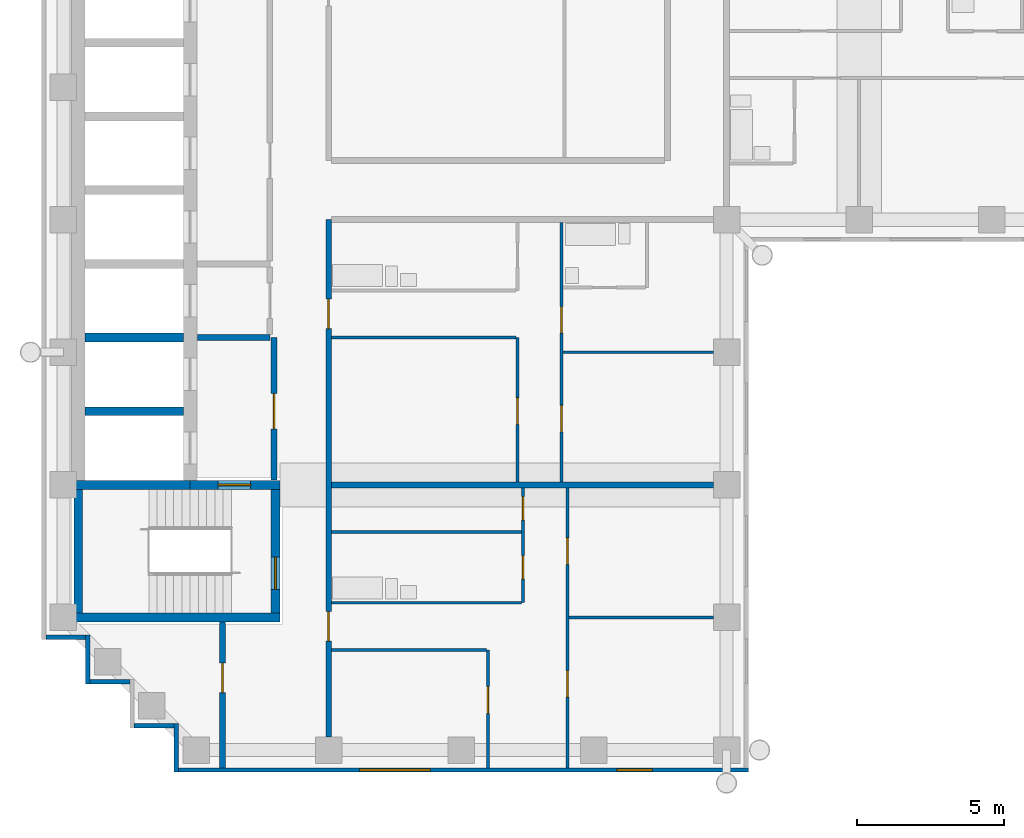
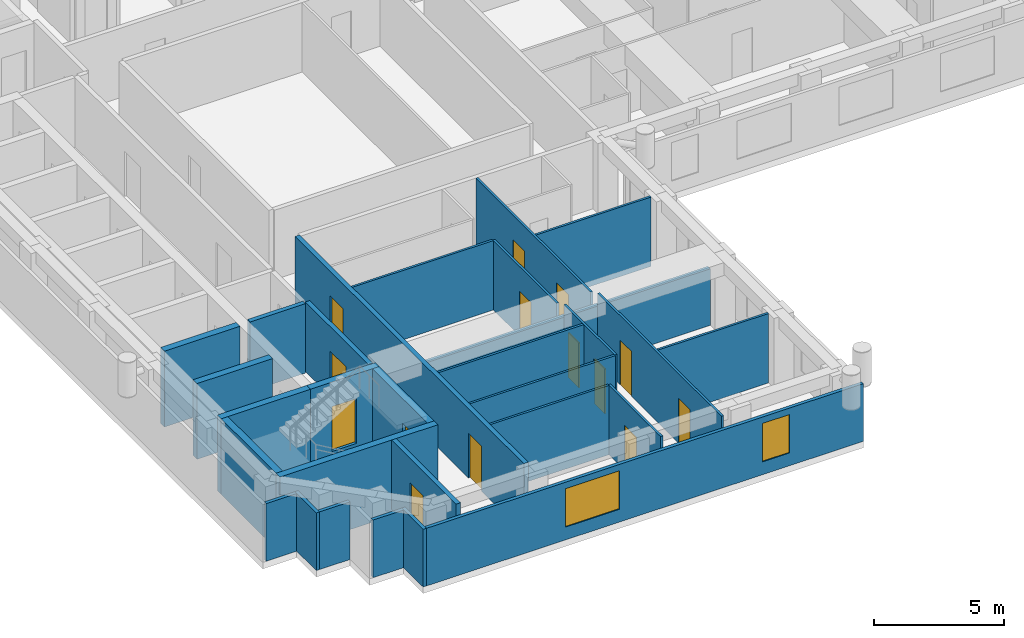
# One storey, part 2 of 9: 29 walls, 14 doors, 2 windows, 16 openings.
"""IFC4 building model written with IfcOpenShell, lengths in metres."""

from ifc_helpers import new_model, si_unit, direction, frame, frame_2d, origin, place, context, subcontext, project, spatial, rectangle, extrude, material, layer, layer_set, type_object, element, fill, save


model = new_model("IFC4")

# Units and contexts
model_context = context("Model", 3, precision=1e-05, world=origin(), true_north=direction((0.0, 1.0)))
body_context = subcontext(model_context, "Body", "Model", "MODEL_VIEW")
ifc_project = project(units=[si_unit("LENGTHUNIT", "METRE"), si_unit("AREAUNIT", "SQUARE_METRE"), si_unit("VOLUMEUNIT", "CUBIC_METRE"), si_unit("PLANEANGLEUNIT", "RADIAN"), si_unit("MASSUNIT", "GRAM", prefix="KILO")], contexts=[model_context])

# Site, building, storey
site_placement = place(None, origin())
site = spatial("IfcSite", under=ifc_project, at=site_placement, CompositionType="ELEMENT")
building_placement = place(site_placement, origin())
building = spatial("IfcBuilding", under=site, at=building_placement, Name="Firuza Court", CompositionType="ELEMENT")
storey_placement = place(building_placement, frame((0.0, 0.0, 229.39990234375)))
storey = spatial("IfcBuildingStorey", under=building, at=storey_placement, Name="L59", CompositionType="ELEMENT", Elevation=229.39990234375)

# Walls
ifc_material_1 = material(Name="Moisture-resistant gypsum board partition")
ifc_layer_1 = layer(ifc_material_1, 0.10009765625)
ifc_layer_set_1 = layer_set([ifc_layer_1], Name="Moisture-resistant gypsum board partition")
wall_type_1 = type_object("IfcWallType", Name="Bathroom partition 100", PredefinedType="PLUMBINGWALL", material=ifc_layer_set_1)
for number, where, z_axis, x_axis, name in (
    (1, (9.10009765625, 23.0, 0.0), (0.0, 0.0, 1.0), (1.0, 0.0, 0.0), "Bathroom partition 100 L59"),
    (2, (9.10009765625, 25.39990234375, 0.0), (0.0, 0.0, 1.0), (1.0, 0.0, 0.0), "Bathroom partition 100 L59"),
):
    element("IfcWall", number, at=place(storey_placement, frame(where, z_axis=z_axis, x_axis=x_axis)), inside=storey, type_object=wall_type_1, Name=name, PredefinedType="PLUMBINGWALL", context=body_context, shape_type="SweptSolid", body=[
        extrude(rectangle(XDim=6.449951171875, YDim=0.10009765625, at=frame_2d((3.22509765625, 0.0))), origin(), (0.0, 0.0, 1.0), 3.25),
    ])
ifc_material_2 = material(Name="Concrete C50/60", Category="concrete")
ifc_layer_2 = layer(ifc_material_2, 0.300048828125)
ifc_layer_set_2 = layer_set([ifc_layer_2], Name="Concrete C50/60")
wall_type_2 = type_object("IfcWallType", Name="Core wall 300 C50/60", PredefinedType="SHEAR", material=ifc_layer_set_2)
wall_1_placement = place(storey_placement, frame((0.35009765625, 22.5, -0.2998046875), z_axis=(0.0, 0.0, 1.0), x_axis=(1.0, 0.0, 0.0)))
element("IfcWall", 3, at=wall_1_placement, inside=storey, type_object=wall_type_2, Name="Core wall stair L59", PredefinedType="SHEAR", context=body_context, shape_type="SweptSolid", body=[
    extrude(rectangle(XDim=7.0, YDim=0.300048828125, at=frame_2d((3.5, 0.0))), origin(), (0.0, 0.0, 1.0), 3.5498046875),
])
wall_2_placement = place(storey_placement, frame((0.35009765625, 27.0, -0.2998046875), z_axis=(0.0, 0.0, 1.0), x_axis=(1.0, 0.0, 0.0)))
element("IfcWall", 4, at=wall_2_placement, inside=storey, type_object=wall_type_2, Name="Core wall lift shaft L59", PredefinedType="SHEAR", context=body_context, shape_type="SweptSolid", body=[
    extrude(rectangle(XDim=3.949951171875, YDim=0.300048828125, at=frame_2d((1.97509765625, 0.0))), origin(), (0.0, 0.0, 1.0), 3.5498046875),
])
wall_3_placement = place(storey_placement, frame((0.5, 22.64990234375, -0.2998046875), z_axis=(0.0, 0.0, 1.0), x_axis=(0.0, 1.0, 0.0)))
element("IfcWall", 5, at=wall_3_placement, inside=storey, type_object=wall_type_2, Name="Core wall stair L59", PredefinedType="SHEAR", context=body_context, shape_type="SweptSolid", body=[
    extrude(rectangle(XDim=4.2001953125, YDim=0.300048828125, at=frame_2d((2.10009765625, 0.0))), origin(), (0.0, 0.0, 1.0), 3.5498046875),
])
for number, where, z_axis, x_axis, name in (
    (6, (0.72509765625, 29.5, -0.2998046875), (0.0, 0.0, 1.0), (1.0, 0.0, 0.0), "Core wall lift shaft L59"),
    (7, (0.72509765625, 32.0, -0.2998046875), (0.0, 0.0, 1.0), (1.0, 0.0, 0.0), "Core wall lift shaft L59"),
):
    element("IfcWall", number, at=place(storey_placement, frame(where, z_axis=z_axis, x_axis=x_axis)), inside=storey, type_object=wall_type_2, Name=name, PredefinedType="SHEAR", context=body_context, shape_type="SweptSolid", body=[
        extrude(rectangle(XDim=3.349853515625, YDim=0.300048828125, at=frame_2d((1.6748046875, 0.0))), origin(), (0.0, 0.0, 1.0), 3.5498046875),
    ])

# Wall, opening, door
wall_4_placement = place(storey_placement, frame((4.300048828125, 27.0, -0.2998046875), z_axis=(0.0, 0.0, 1.0), x_axis=(1.0, 0.0, 0.0)))
wall_4 = element("IfcWall", 8, at=wall_4_placement, inside=storey, type_object=wall_type_2, Name="Core wall stair L59", PredefinedType="SHEAR", context=body_context, shape_type="SweptSolid", body=[
    extrude(rectangle(XDim=3.050048828125, YDim=0.300048828125, at=frame_2d((1.52490234375, 0.0))), origin(), (0.0, 0.0, 1.0), 3.5498046875),
])
opening_1_placement = place(wall_4_placement, frame((0.949951171875, 0.0, 0.300048828125)))
opening_1 = element("IfcOpeningElement", 9, at=opening_1_placement, cuts=wall_4, Name="Opening D59010", PredefinedType="OPENING", context=body_context, shape_type="SweptSolid", body=[
    extrude(rectangle(XDim=1.10009765625, YDim=2.10009765625, at=frame_2d((0.550048828125, 1.050048828125))), frame((0.0, 0.162109375, 0.0), z_axis=(0.0, -1.0, 0.0), x_axis=(1.0, 0.0, 0.0)), (0.0, 0.0, 1.0), 0.323974609375),
])
ifc_material_3 = material(Name="Timber door leaf in hardwood frame", Category="wood")
door_type_1 = type_object("IfcDoorType", Name="Stair door 1100", OperationType="SINGLE_SWING_LEFT", PredefinedType="DOOR", material=ifc_material_3)
door_1_placement = place(opening_1_placement, frame((1.10009765625, 0.0, 0.0), z_axis=(0.0, 0.0, 1.0), x_axis=(-1.0, 0.0, 0.0)))
door_1 = element("IfcDoor", 10, at=door_1_placement, inside=storey, type_object=door_type_1, Name="Fire-fighting lobby door", OperationType="SINGLE_SWING_LEFT", OverallHeight=2.10009765625, OverallWidth=1.10009765625, PredefinedType="DOOR", context=body_context, shape_type="SweptSolid", body=[
    extrude(rectangle(XDim=1.10009765625, YDim=2.10009765625, at=frame_2d((0.550048828125, 1.050048828125))), frame((0.0, 0.02490234375, 0.0), z_axis=(0.0, -1.0, 0.0), x_axis=(1.0, 0.0, 0.0)), (0.0, 0.0, 1.0), 0.050048828125),
])
fill(opening_1, door_1)

wall_5_placement = place(storey_placement, frame((7.199951171875, 22.64990234375, -0.2998046875), z_axis=(0.0, 0.0, 1.0), x_axis=(0.0, 1.0, 0.0)))
wall_5 = element("IfcWall", 11, at=wall_5_placement, inside=storey, type_object=wall_type_2, Name="Core wall stair L59", PredefinedType="SHEAR", context=body_context, shape_type="SweptSolid", body=[
    extrude(rectangle(XDim=4.2001953125, YDim=0.300048828125, at=frame_2d((2.10009765625, 0.0))), origin(), (0.0, 0.0, 1.0), 3.5498046875),
])
opening_2_placement = place(wall_5_placement, frame((0.800048828125, 0.0, 0.300048828125)))
opening_2 = element("IfcOpeningElement", 12, at=opening_2_placement, cuts=wall_5, Name="Opening D59011", PredefinedType="OPENING", context=body_context, shape_type="SweptSolid", body=[
    extrude(rectangle(XDim=1.10009765625, YDim=2.10009765625, at=frame_2d((0.550048828125, 1.050048828125))), frame((0.0, 0.162109375, 0.0), z_axis=(0.0, -1.0, 0.0), x_axis=(1.0, 0.0, 0.0)), (0.0, 0.0, 1.0), 0.323974609375),
])
door_2_placement = place(opening_2_placement, origin())
door_2 = element("IfcDoor", 13, at=door_2_placement, inside=storey, type_object=door_type_1, Name="Stair door S2", OperationType="SINGLE_SWING_LEFT", OverallHeight=2.10009765625, OverallWidth=1.10009765625, PredefinedType="DOOR", context=body_context, shape_type="SweptSolid", body=[
    extrude(rectangle(XDim=1.10009765625, YDim=2.10009765625, at=frame_2d((0.550048828125, 1.050048828125))), frame((0.0, 0.02490234375, 0.0), z_axis=(0.0, -1.0, 0.0), x_axis=(1.0, 0.0, 0.0)), (0.0, 0.0, 1.0), 0.050048828125),
])
fill(opening_2, door_2)

ifc_material_4 = material(Name="Blockwork, plastered both sides", Category="masonry")
ifc_layer_3 = layer(ifc_material_4, 0.199951171875)
ifc_layer_set_3 = layer_set([ifc_layer_3], Name="Blockwork, plastered both sides")
wall_type_3 = type_object("IfcWallType", Name="Corridor wall 200", PredefinedType="PARTITIONING", material=ifc_layer_set_3)
wall_6_placement = place(storey_placement, frame((5.39990234375, 17.39990234375, 0.0), z_axis=(0.0, 0.0, 1.0), x_axis=(0.0, 1.0, 0.0)))
wall_6 = element("IfcWall", 14, at=wall_6_placement, inside=storey, type_object=wall_type_3, Name="Corridor wall 200 L59", PredefinedType="PARTITIONING", context=body_context, shape_type="SweptSolid", body=[
    extrude(rectangle(XDim=4.9501953125, YDim=0.199951171875, at=frame_2d((2.47509765625, 0.0))), origin(), (0.0, 0.0, 1.0), 3.25),
])
opening_3_placement = place(wall_6_placement, frame((2.550048828125, 0.0, 0.0)))
opening_3 = element("IfcOpeningElement", 15, at=opening_3_placement, cuts=wall_6, Name="Opening D59013", PredefinedType="OPENING", context=body_context, shape_type="SweptSolid", body=[
    extrude(rectangle(XDim=1.0, YDim=2.10009765625, at=frame_2d((0.5, 1.050048828125))), frame((0.0, 0.11181640625, 0.0), z_axis=(0.0, -1.0, 0.0), x_axis=(1.0, 0.0, 0.0)), (0.0, 0.0, 1.0), 0.223876953125),
])
ifc_material_5 = material(Name="Timber door leaf in hardwood frame", Category="wood")
door_type_2 = type_object("IfcDoorType", Name="Store door 1000", OperationType="SINGLE_SWING_LEFT", PredefinedType="DOOR", material=ifc_material_5)
door_3_placement = place(opening_3_placement, origin())
door_3 = element("IfcDoor", 16, at=door_3_placement, inside=storey, type_object=door_type_2, Name="Comms room door", OperationType="SINGLE_SWING_RIGHT", OverallHeight=2.10009765625, OverallWidth=1.0, PredefinedType="DOOR", context=body_context, shape_type="SweptSolid", body=[
    extrude(rectangle(XDim=1.0, YDim=2.10009765625, at=frame_2d((0.5, 1.050048828125))), frame((0.0, 0.02490234375, 0.0), z_axis=(0.0, -1.0, 0.0), x_axis=(1.0, 0.0, 0.0)), (0.0, 0.0, 1.0), 0.050048828125),
])
fill(opening_3, door_3)

# Wall, openings, doors
wall_7_placement = place(storey_placement, frame((9.0, 18.449951171875, 0.0), z_axis=(0.0, 0.0, 1.0), x_axis=(0.0, 1.0, 0.0)))
wall_7 = element("IfcWall", 17, at=wall_7_placement, inside=storey, type_object=wall_type_3, Name="Corridor wall 200 L59", PredefinedType="PARTITIONING", context=body_context, shape_type="SweptSolid", body=[
    extrude(rectangle(XDim=17.550048828125, YDim=0.199951171875, at=frame_2d((8.77490234375, 0.0))), origin(), (0.0, 0.0, 1.0), 3.25),
])
opening_4_placement = place(wall_7_placement, frame((13.85009765625, 0.0, 0.0)))
opening_4 = element("IfcOpeningElement", 18, at=opening_4_placement, cuts=wall_7, Name="Opening D59017", PredefinedType="OPENING", context=body_context, shape_type="SweptSolid", body=[
    extrude(rectangle(XDim=1.0, YDim=2.10009765625, at=frame_2d((0.5, 1.050048828125))), frame((0.0, 0.11181640625, 0.0), z_axis=(0.0, -1.0, 0.0), x_axis=(1.0, 0.0, 0.0)), (0.0, 0.0, 1.0), 0.223876953125),
])
opening_5_placement = place(wall_7_placement, frame((3.25, 0.0, 0.0)))
opening_5 = element("IfcOpeningElement", 19, at=opening_5_placement, cuts=wall_7, Name="Opening D59018", PredefinedType="OPENING", context=body_context, shape_type="SweptSolid", body=[
    extrude(rectangle(XDim=1.0, YDim=2.10009765625, at=frame_2d((0.5, 1.050048828125))), frame((0.0, 0.11181640625, 0.0), z_axis=(0.0, -1.0, 0.0), x_axis=(1.0, 0.0, 0.0)), (0.0, 0.0, 1.0), 0.223876953125),
])
ifc_material_6 = material(Name="Timber door leaf in hardwood frame", Category="wood")
door_type_3 = type_object("IfcDoorType", Name="Flat entrance door 1000", OperationType="SINGLE_SWING_LEFT", PredefinedType="DOOR", material=ifc_material_6)
door_4_placement = place(opening_4_placement, origin())
door_4 = element("IfcDoor", 20, at=door_4_placement, inside=storey, type_object=door_type_3, Name="Flat entrance door", OperationType="SINGLE_SWING_LEFT", OverallHeight=2.10009765625, OverallWidth=1.0, PredefinedType="DOOR", context=body_context, shape_type="SweptSolid", body=[
    extrude(rectangle(XDim=1.0, YDim=2.10009765625, at=frame_2d((0.5, 1.050048828125))), frame((0.0, 0.02490234375, 0.0), z_axis=(0.0, -1.0, 0.0), x_axis=(1.0, 0.0, 0.0)), (0.0, 0.0, 1.0), 0.050048828125),
])
fill(opening_4, door_4)
door_5_placement = place(opening_5_placement, origin())
door_5 = element("IfcDoor", 21, at=door_5_placement, inside=storey, type_object=door_type_3, Name="Flat entrance door", OperationType="SINGLE_SWING_LEFT", OverallHeight=2.10009765625, OverallWidth=1.0, PredefinedType="DOOR", context=body_context, shape_type="SweptSolid", body=[
    extrude(rectangle(XDim=1.0, YDim=2.10009765625, at=frame_2d((0.5, 1.050048828125))), frame((0.0, 0.02490234375, 0.0), z_axis=(0.0, -1.0, 0.0), x_axis=(1.0, 0.0, 0.0)), (0.0, 0.0, 1.0), 0.050048828125),
])
fill(opening_5, door_5)

# Wall, opening, door
ifc_material_7 = material(Name="Timber stud partition, plasterboard both sides", Category="wood")
ifc_layer_4 = layer(ifc_material_7, 0.10009765625)
ifc_layer_set_4 = layer_set([ifc_layer_4], Name="Timber stud partition, plasterboard both sides")
wall_type_4 = type_object("IfcWallType", Name="Partition wall 100", PredefinedType="PARTITIONING", material=ifc_layer_set_4)
wall_8_placement = place(storey_placement, frame((14.39990234375, 17.39990234375, 0.0), z_axis=(0.0, 0.0, 1.0), x_axis=(0.0, 1.0, 0.0)))
wall_8 = element("IfcWall", 22, at=wall_8_placement, inside=storey, type_object=wall_type_4, Name="Partition wall 100 L59", PredefinedType="PARTITIONING", context=body_context, shape_type="SweptSolid", body=[
    extrude(rectangle(XDim=4.0, YDim=0.10009765625, at=frame_2d((2.0, 0.0))), origin(), (0.0, 0.0, 1.0), 3.25),
])
opening_6_placement = place(wall_8_placement, frame((1.85009765625, 0.0, 0.0)))
opening_6 = element("IfcOpeningElement", 23, at=opening_6_placement, cuts=wall_8, Name="Opening D59014", PredefinedType="OPENING", context=body_context, shape_type="SweptSolid", body=[
    extrude(rectangle(XDim=0.89990234375, YDim=2.10009765625, at=frame_2d((0.449951171875, 1.050048828125))), frame((0.0, 0.06201171875, 0.0), z_axis=(0.0, -1.0, 0.0), x_axis=(1.0, 0.0, 0.0)), (0.0, 0.0, 1.0), 0.1240234375),
])
ifc_material_8 = material(Name="Timber door leaf in hardwood frame", Category="wood")
door_type_4 = type_object("IfcDoorType", Name="Room door 900", OperationType="SINGLE_SWING_LEFT", PredefinedType="DOOR", material=ifc_material_8)
door_6_placement = place(opening_6_placement, origin())
door_6 = element("IfcDoor", 24, at=door_6_placement, inside=storey, type_object=door_type_4, Name="Kitchen door", OperationType="SINGLE_SWING_RIGHT", OverallHeight=2.10009765625, OverallWidth=0.89990234375, PredefinedType="DOOR", context=body_context, shape_type="SweptSolid", body=[
    extrude(rectangle(XDim=0.89990234375, YDim=2.10009765625, at=frame_2d((0.449951171875, 1.050048828125))), frame((0.0, 0.02490234375, 0.0), z_axis=(0.0, -1.0, 0.0), x_axis=(1.0, 0.0, 0.0)), (0.0, 0.0, 1.0), 0.050048828125),
])
fill(opening_6, door_6)

# Wall, openings, doors
wall_9_placement = place(storey_placement, frame((17.10009765625, 17.39990234375, 0.0), z_axis=(0.0, 0.0, 1.0), x_axis=(0.0, 1.0, 0.0)))
wall_9 = element("IfcWall", 25, at=wall_9_placement, inside=storey, type_object=wall_type_4, Name="Partition wall 100 L59", PredefinedType="PARTITIONING", context=body_context, shape_type="SweptSolid", body=[
    extrude(rectangle(XDim=9.5, YDim=0.10009765625, at=frame_2d((4.75, 0.0))), origin(), (0.0, 0.0, 1.0), 3.25),
])
opening_7_placement = place(wall_9_placement, frame((2.39990234375, 0.0, 0.0)))
opening_7 = element("IfcOpeningElement", 26, at=opening_7_placement, cuts=wall_9, Name="Opening D59015", PredefinedType="OPENING", context=body_context, shape_type="SweptSolid", body=[
    extrude(rectangle(XDim=0.89990234375, YDim=2.10009765625, at=frame_2d((0.449951171875, 1.050048828125))), frame((0.0, 0.06201171875, 0.0), z_axis=(0.0, -1.0, 0.0), x_axis=(1.0, 0.0, 0.0)), (0.0, 0.0, 1.0), 0.1240234375),
])
opening_8_placement = place(wall_9_placement, frame((6.89990234375, 0.0, 0.0)))
opening_8 = element("IfcOpeningElement", 27, at=opening_8_placement, cuts=wall_9, Name="Opening D59016", PredefinedType="OPENING", context=body_context, shape_type="SweptSolid", body=[
    extrude(rectangle(XDim=0.89990234375, YDim=2.10009765625, at=frame_2d((0.449951171875, 1.050048828125))), frame((0.0, 0.06201171875, 0.0), z_axis=(0.0, -1.0, 0.0), x_axis=(1.0, 0.0, 0.0)), (0.0, 0.0, 1.0), 0.1240234375),
])
door_7_placement = place(opening_7_placement, frame((0.89990234375, 0.0, 0.0), z_axis=(0.0, 0.0, 1.0), x_axis=(-1.0, 0.0, 0.0)))
door_7 = element("IfcDoor", 28, at=door_7_placement, inside=storey, type_object=door_type_4, Name="Living room door", OperationType="SINGLE_SWING_LEFT", OverallHeight=2.10009765625, OverallWidth=0.89990234375, PredefinedType="DOOR", context=body_context, shape_type="SweptSolid", body=[
    extrude(rectangle(XDim=0.89990234375, YDim=2.10009765625, at=frame_2d((0.449951171875, 1.050048828125))), frame((0.0, 0.02490234375, 0.0), z_axis=(0.0, -1.0, 0.0), x_axis=(1.0, 0.0, 0.0)), (0.0, 0.0, 1.0), 0.050048828125),
])
fill(opening_7, door_7)
door_8_placement = place(opening_8_placement, frame((0.89990234375, 0.0, 0.0), z_axis=(0.0, 0.0, 1.0), x_axis=(-1.0, 0.0, 0.0)))
door_8 = element("IfcDoor", 29, at=door_8_placement, inside=storey, type_object=door_type_4, Name="Bedroom door", OperationType="SINGLE_SWING_RIGHT", OverallHeight=2.10009765625, OverallWidth=0.89990234375, PredefinedType="DOOR", context=body_context, shape_type="SweptSolid", body=[
    extrude(rectangle(XDim=0.89990234375, YDim=2.10009765625, at=frame_2d((0.449951171875, 1.050048828125))), frame((0.0, 0.02490234375, 0.0), z_axis=(0.0, -1.0, 0.0), x_axis=(1.0, 0.0, 0.0)), (0.0, 0.0, 1.0), 0.050048828125),
])
fill(opening_8, door_8)

# Walls
wall_10_placement = place(storey_placement, frame((9.10009765625, 21.39990234375, 0.0), z_axis=(0.0, 0.0, 1.0), x_axis=(1.0, 0.0, 0.0)))
element("IfcWall", 30, at=wall_10_placement, inside=storey, type_object=wall_type_4, Name="Partition wall 100 L59", PredefinedType="PARTITIONING", context=body_context, shape_type="SweptSolid", body=[
    extrude(rectangle(XDim=5.25, YDim=0.10009765625, at=frame_2d((2.625, 0.0))), origin(), (0.0, 0.0, 1.0), 3.25),
])
wall_11_placement = place(storey_placement, frame((17.14990234375, 22.5, 0.0), z_axis=(0.0, 0.0, 1.0), x_axis=(1.0, 0.0, 0.0)))
element("IfcWall", 31, at=wall_11_placement, inside=storey, type_object=wall_type_4, Name="Partition wall 100 L59", PredefinedType="PARTITIONING", context=body_context, shape_type="SweptSolid", body=[
    extrude(rectangle(XDim=4.900146484375, YDim=0.10009765625, at=frame_2d((2.4501953125, 0.0))), origin(), (0.0, 0.0, 1.0), 3.25),
])

# Wall, openings, doors
wall_12_placement = place(storey_placement, frame((15.60009765625, 23.0, 0.0), z_axis=(0.0, 0.0, 1.0), x_axis=(0.0, 1.0, 0.0)))
wall_12 = element("IfcWall", 32, at=wall_12_placement, inside=storey, type_object=wall_type_4, Name="Partition wall 100 L59", PredefinedType="PARTITIONING", context=body_context, shape_type="SweptSolid", body=[
    extrude(rectangle(XDim=3.89990234375, YDim=0.10009765625, at=frame_2d((1.949951171875, 0.0))), origin(), (0.0, 0.0, 1.0), 3.25),
])
opening_9_placement = place(wall_12_placement, frame((0.800048828125, 0.0, 0.0)))
opening_9 = element("IfcOpeningElement", 33, at=opening_9_placement, cuts=wall_12, Name="Opening D59019", PredefinedType="OPENING", context=body_context, shape_type="SweptSolid", body=[
    extrude(rectangle(XDim=0.800048828125, YDim=2.10009765625, at=frame_2d((0.39990234375, 1.050048828125))), frame((0.0, 0.06201171875, 0.0), z_axis=(0.0, -1.0, 0.0), x_axis=(1.0, 0.0, 0.0)), (0.0, 0.0, 1.0), 0.1240234375),
])
opening_10_placement = place(wall_12_placement, frame((2.800048828125, 0.0, 0.0)))
opening_10 = element("IfcOpeningElement", 34, at=opening_10_placement, cuts=wall_12, Name="Opening D59020", PredefinedType="OPENING", context=body_context, shape_type="SweptSolid", body=[
    extrude(rectangle(XDim=0.800048828125, YDim=2.10009765625, at=frame_2d((0.39990234375, 1.050048828125))), frame((0.0, 0.06201171875, 0.0), z_axis=(0.0, -1.0, 0.0), x_axis=(1.0, 0.0, 0.0)), (0.0, 0.0, 1.0), 0.1240234375),
])
ifc_material_9 = material(Name="Timber door leaf in hardwood frame", Category="wood")
door_type_5 = type_object("IfcDoorType", Name="Bathroom door 800", OperationType="SINGLE_SWING_LEFT", PredefinedType="DOOR", material=ifc_material_9)
door_9_placement = place(opening_9_placement, origin())
door_9 = element("IfcDoor", 35, at=door_9_placement, inside=storey, type_object=door_type_5, Name="Bathroom door", OperationType="SINGLE_SWING_LEFT", OverallHeight=2.10009765625, OverallWidth=0.800048828125, PredefinedType="DOOR", context=body_context, shape_type="SweptSolid", body=[
    extrude(rectangle(XDim=0.800048828125, YDim=2.10009765625, at=frame_2d((0.39990234375, 1.050048828125))), frame((0.0, 0.02490234375, 0.0), z_axis=(0.0, -1.0, 0.0), x_axis=(1.0, 0.0, 0.0)), (0.0, 0.0, 1.0), 0.050048828125),
])
fill(opening_9, door_9)
ifc_material_10 = material(Name="Timber door leaf in hardwood frame", Category="wood")
door_type_6 = type_object("IfcDoorType", Name="Room door 800", OperationType="SINGLE_SWING_LEFT", PredefinedType="DOOR", material=ifc_material_10)
door_10_placement = place(opening_10_placement, origin())
door_10 = element("IfcDoor", 36, at=door_10_placement, inside=storey, type_object=door_type_6, Name="Store door", OperationType="SINGLE_SWING_LEFT", OverallHeight=2.10009765625, OverallWidth=0.800048828125, PredefinedType="DOOR", context=body_context, shape_type="SweptSolid", body=[
    extrude(rectangle(XDim=0.800048828125, YDim=2.10009765625, at=frame_2d((0.39990234375, 1.050048828125))), frame((0.0, 0.02490234375, 0.0), z_axis=(0.0, -1.0, 0.0), x_axis=(1.0, 0.0, 0.0)), (0.0, 0.0, 1.0), 0.050048828125),
])
fill(opening_10, door_10)

# Wall, opening, door
wall_13_placement = place(storey_placement, frame((15.39990234375, 27.10009765625, 0.0), z_axis=(0.0, 0.0, 1.0), x_axis=(0.0, 1.0, 0.0)))
wall_13 = element("IfcWall", 37, at=wall_13_placement, inside=storey, type_object=wall_type_4, Name="Partition wall 100 L59", PredefinedType="PARTITIONING", context=body_context, shape_type="SweptSolid", body=[
    extrude(rectangle(XDim=4.89990234375, YDim=0.10009765625, at=frame_2d((2.449951171875, 0.0))), origin(), (0.0, 0.0, 1.0), 3.25),
])
opening_11_placement = place(wall_13_placement, frame((1.949951171875, 0.0, 0.0)))
opening_11 = element("IfcOpeningElement", 38, at=opening_11_placement, cuts=wall_13, Name="Opening D59021", PredefinedType="OPENING", context=body_context, shape_type="SweptSolid", body=[
    extrude(rectangle(XDim=0.89990234375, YDim=2.10009765625, at=frame_2d((0.449951171875, 1.050048828125))), frame((0.0, 0.06201171875, 0.0), z_axis=(0.0, -1.0, 0.0), x_axis=(1.0, 0.0, 0.0)), (0.0, 0.0, 1.0), 0.1240234375),
])
door_11_placement = place(opening_11_placement, origin())
door_11 = element("IfcDoor", 39, at=door_11_placement, inside=storey, type_object=door_type_4, Name="Kitchen door", OperationType="SINGLE_SWING_LEFT", OverallHeight=2.10009765625, OverallWidth=0.89990234375, PredefinedType="DOOR", context=body_context, shape_type="SweptSolid", body=[
    extrude(rectangle(XDim=0.89990234375, YDim=2.10009765625, at=frame_2d((0.449951171875, 1.050048828125))), frame((0.0, 0.02490234375, 0.0), z_axis=(0.0, -1.0, 0.0), x_axis=(1.0, 0.0, 0.0)), (0.0, 0.0, 1.0), 0.050048828125),
])
fill(opening_11, door_11)

# Wall, openings, doors
wall_14_placement = place(storey_placement, frame((16.89990234375, 27.10009765625, 0.0), z_axis=(0.0, 0.0, 1.0), x_axis=(0.0, 1.0, 0.0)))
wall_14 = element("IfcWall", 40, at=wall_14_placement, inside=storey, type_object=wall_type_4, Name="Partition wall 100 L59", PredefinedType="PARTITIONING", context=body_context, shape_type="SweptSolid", body=[
    extrude(rectangle(XDim=8.7998046875, YDim=0.10009765625, at=frame_2d((4.39990234375, 0.0))), origin(), (0.0, 0.0, 1.0), 3.25),
])
opening_12_placement = place(wall_14_placement, frame((1.699951171875, 0.0, 0.0)))
opening_12 = element("IfcOpeningElement", 41, at=opening_12_placement, cuts=wall_14, Name="Opening D59022", PredefinedType="OPENING", context=body_context, shape_type="SweptSolid", body=[
    extrude(rectangle(XDim=0.89990234375, YDim=2.10009765625, at=frame_2d((0.449951171875, 1.050048828125))), frame((0.0, 0.06201171875, 0.0), z_axis=(0.0, -1.0, 0.0), x_axis=(1.0, 0.0, 0.0)), (0.0, 0.0, 1.0), 0.1240234375),
])
opening_13_placement = place(wall_14_placement, frame((5.050048828125, 0.0, 0.0)))
opening_13 = element("IfcOpeningElement", 42, at=opening_13_placement, cuts=wall_14, Name="Opening D59023", PredefinedType="OPENING", context=body_context, shape_type="SweptSolid", body=[
    extrude(rectangle(XDim=0.89990234375, YDim=2.10009765625, at=frame_2d((0.449951171875, 1.050048828125))), frame((0.0, 0.06201171875, 0.0), z_axis=(0.0, -1.0, 0.0), x_axis=(1.0, 0.0, 0.0)), (0.0, 0.0, 1.0), 0.1240234375),
])
door_12_placement = place(opening_12_placement, frame((0.89990234375, 0.0, 0.0), z_axis=(0.0, 0.0, 1.0), x_axis=(-1.0, 0.0, 0.0)))
door_12 = element("IfcDoor", 43, at=door_12_placement, inside=storey, type_object=door_type_4, Name="Living room door", OperationType="SINGLE_SWING_RIGHT", OverallHeight=2.10009765625, OverallWidth=0.89990234375, PredefinedType="DOOR", context=body_context, shape_type="SweptSolid", body=[
    extrude(rectangle(XDim=0.89990234375, YDim=2.10009765625, at=frame_2d((0.449951171875, 1.050048828125))), frame((0.0, 0.02490234375, 0.0), z_axis=(0.0, -1.0, 0.0), x_axis=(1.0, 0.0, 0.0)), (0.0, 0.0, 1.0), 0.050048828125),
])
fill(opening_12, door_12)
door_13_placement = place(opening_13_placement, frame((0.89990234375, 0.0, 0.0), z_axis=(0.0, 0.0, 1.0), x_axis=(-1.0, 0.0, 0.0)))
door_13 = element("IfcDoor", 44, at=door_13_placement, inside=storey, type_object=door_type_4, Name="Bedroom door", OperationType="SINGLE_SWING_RIGHT", OverallHeight=2.10009765625, OverallWidth=0.89990234375, PredefinedType="DOOR", context=body_context, shape_type="SweptSolid", body=[
    extrude(rectangle(XDim=0.89990234375, YDim=2.10009765625, at=frame_2d((0.449951171875, 1.050048828125))), frame((0.0, 0.02490234375, 0.0), z_axis=(0.0, -1.0, 0.0), x_axis=(1.0, 0.0, 0.0)), (0.0, 0.0, 1.0), 0.050048828125),
])
fill(opening_13, door_13)

# Walls
wall_15_placement = place(storey_placement, frame((16.949951171875, 31.5, 0.0), z_axis=(0.0, 0.0, 1.0), x_axis=(1.0, 0.0, 0.0)))
element("IfcWall", 45, at=wall_15_placement, inside=storey, type_object=wall_type_4, Name="Partition wall 100 L59", PredefinedType="PARTITIONING", context=body_context, shape_type="SweptSolid", body=[
    extrude(rectangle(XDim=5.10009765625, YDim=0.10009765625, at=frame_2d((2.550048828125, 0.0))), origin(), (0.0, 0.0, 1.0), 3.25),
])
wall_16_placement = place(storey_placement, frame((9.10009765625, 32.0, 0.0), z_axis=(0.0, 0.0, 1.0), x_axis=(1.0, 0.0, 0.0)))
element("IfcWall", 46, at=wall_16_placement, inside=storey, type_object=wall_type_4, Name="Partition wall 100 L59", PredefinedType="PARTITIONING", context=body_context, shape_type="SweptSolid", body=[
    extrude(rectangle(XDim=6.25, YDim=0.10009765625, at=frame_2d((3.125, 0.0))), origin(), (0.0, 0.0, 1.0), 3.25),
])
ifc_layer_5 = layer(ifc_material_4, 0.199951171875)
ifc_layer_set_5 = layer_set([ifc_layer_5], Name="Blockwork, plastered both sides")
wall_type_5 = type_object("IfcWallType", Name="Party wall 200", PredefinedType="PARTITIONING", material=ifc_layer_set_5)
wall_17_placement = place(storey_placement, frame((9.10009765625, 27.0, 0.0), z_axis=(0.0, 0.0, 1.0), x_axis=(1.0, 0.0, 0.0)))
element("IfcWall", 47, at=wall_17_placement, inside=storey, type_object=wall_type_5, Name="Party wall 200 L59", PredefinedType="PARTITIONING", context=body_context, shape_type="SweptSolid", body=[
    extrude(rectangle(XDim=12.949951171875, YDim=0.199951171875, at=frame_2d((6.47509765625, 0.0))), origin(), (0.0, 0.0, 1.0), 2.650146484375),
])
ifc_material_11 = material(Name="Ceramic tile", Category="ceramic")
ifc_layer_6 = layer(ifc_material_11, 0.02001953125)
ifc_material_12 = material(Name="Mineral wool insulation", Category="insulation")
ifc_layer_7 = layer(ifc_material_12, 0.050048828125)
ifc_material_13 = material(Name="Concrete C40/50 precast", Category="concrete")
ifc_layer_8 = layer(ifc_material_13, 0.080078125)
ifc_layer_set_6 = layer_set([ifc_layer_6, ifc_layer_7, ifc_layer_8], Name="Concrete C40/50 precast")
wall_type_6 = type_object("IfcWallType", Name="Precast cladding wall with turquoise TILE PANEL face 150", PredefinedType="STANDARD", material=ifc_layer_set_6)
wall_18_placement = place(storey_placement, frame((-0.60009765625, 21.824951171875, 0.0), z_axis=(0.0, 0.0, 1.0), x_axis=(1.0, 0.0, 0.0)))
element("IfcWall", 48, at=wall_18_placement, inside=storey, type_object=wall_type_6, Name="Facade wall L59 S", PredefinedType="STANDARD", context=body_context, shape_type="SweptSolid", body=[
    extrude(rectangle(XDim=1.35009765625, YDim=0.14990234375, at=frame_2d((0.675048828125, 0.0))), origin(), (0.0, 0.0, 1.0), 2.7001953125),
])
wall_19_placement = place(storey_placement, frame((0.824951171875, 21.89990234375, 0.0), z_axis=(0.0, 0.0, 1.0), x_axis=(0.0, -1.0, 0.0)))
element("IfcWall", 49, at=wall_19_placement, inside=storey, type_object=wall_type_6, Name="Facade wall L59 W", PredefinedType="STANDARD", context=body_context, shape_type="SweptSolid", body=[
    extrude(rectangle(XDim=1.64990234375, YDim=0.14990234375, at=frame_2d((0.824951171875, 0.0))), origin(), (0.0, 0.0, 1.0), 2.7001953125),
])
for number, where, z_axis, x_axis, name in (
    (50, (0.89990234375, 20.324951171875, 0.0), (0.0, 0.0, 1.0), (1.0, 0.0, 0.0), "Facade wall L59 S"),
    (51, (2.39990234375, 18.824951171875, 0.0), (0.0, 0.0, 1.0), (1.0, 0.0, 0.0), "Facade wall L59 S"),
):
    element("IfcWall", number, at=place(storey_placement, frame(where, z_axis=z_axis, x_axis=x_axis)), inside=storey, type_object=wall_type_6, Name=name, PredefinedType="STANDARD", context=body_context, shape_type="SweptSolid", body=[
        extrude(rectangle(XDim=1.35009765625, YDim=0.14990234375, at=frame_2d((0.675048828125, 0.0))), origin(), (0.0, 0.0, 1.0), 2.7001953125),
    ])
wall_20_placement = place(storey_placement, frame((3.824951171875, 18.89990234375, 0.0), z_axis=(0.0, 0.0, 1.0), x_axis=(0.0, -1.0, 0.0)))
element("IfcWall", 52, at=wall_20_placement, inside=storey, type_object=wall_type_6, Name="Facade wall L59 W", PredefinedType="STANDARD", context=body_context, shape_type="SweptSolid", body=[
    extrude(rectangle(XDim=1.64990234375, YDim=0.14990234375, at=frame_2d((0.824951171875, 0.0))), origin(), (0.0, 0.0, 1.0), 2.7001953125),
])

# Wall, openings, windows
wall_21_placement = place(storey_placement, frame((3.89990234375, 17.324951171875, 0.0), z_axis=(0.0, 0.0, 1.0), x_axis=(1.0, 0.0, 0.0)))
wall_21 = element("IfcWall", 53, at=wall_21_placement, inside=storey, type_object=wall_type_6, Name="Facade wall L59 S", PredefinedType="STANDARD", context=body_context, shape_type="SweptSolid", body=[
    extrude(rectangle(XDim=19.35009765625, YDim=0.14990234375, at=frame_2d((9.675048828125, 0.0))), origin(), (0.0, 0.0, 1.0), 2.7001953125),
])
opening_14_placement = place(wall_21_placement, frame((6.14990234375, 0.0, 0.60009765625)))
opening_14 = element("IfcOpeningElement", 54, at=opening_14_placement, cuts=wall_21, Name="Opening W1", PredefinedType="OPENING", context=body_context, shape_type="SweptSolid", body=[
    extrude(rectangle(XDim=2.39990234375, YDim=1.800048828125, at=frame_2d((1.199951171875, 0.89990234375))), frame((0.0, 0.0869140625, 0.0), z_axis=(0.0, -1.0, 0.0), x_axis=(1.0, 0.0, 0.0)), (0.0, 0.0, 1.0), 0.173828125),
])
opening_15_placement = place(wall_21_placement, frame((14.880615234375, 0.0, 0.60009765625)))
opening_15 = element("IfcOpeningElement", 55, at=opening_15_placement, cuts=wall_21, Name="Opening W8", PredefinedType="OPENING", context=body_context, shape_type="SweptSolid", body=[
    extrude(rectangle(XDim=1.199951171875, YDim=1.800048828125, at=frame_2d((0.60009765625, 0.89990234375))), frame((0.0, 0.0869140625, 0.0), z_axis=(0.0, -1.0, 0.0), x_axis=(1.0, 0.0, 0.0)), (0.0, 0.0, 1.0), 0.173828125),
])
ifc_material_14 = material(Name="Aluminium frame, triple clear glazing", Category="aluminium")
window_type_1 = type_object("IfcWindowType", Name="Window W1 2400 x 1800", PartitioningType="SINGLE_PANEL", PredefinedType="WINDOW", material=ifc_material_14)
window_1_placement = place(opening_14_placement, origin())
window_1 = element("IfcWindow", 56, at=window_1_placement, inside=storey, type_object=window_type_1, Name="Window L59", OverallHeight=1.800048828125, OverallWidth=2.39990234375, PartitioningType="SINGLE_PANEL", PredefinedType="WINDOW", context=body_context, shape_type="SweptSolid", body=[
    extrude(rectangle(XDim=2.39990234375, YDim=1.800048828125, at=frame_2d((1.199951171875, 0.89990234375))), frame((0.0, 0.030029296875, 0.0), z_axis=(0.0, -1.0, 0.0), x_axis=(1.0, 0.0, 0.0)), (0.0, 0.0, 1.0), 0.06005859375),
])
fill(opening_14, window_1)
ifc_material_15 = material(Name="Aluminium frame, triple clear glazing", Category="aluminium")
window_type_2 = type_object("IfcWindowType", Name="Window W8 1200 x 1800", PartitioningType="SINGLE_PANEL", PredefinedType="WINDOW", material=ifc_material_15)
window_2_placement = place(opening_15_placement, origin())
window_2 = element("IfcWindow", 57, at=window_2_placement, inside=storey, type_object=window_type_2, Name="Window L59", OverallHeight=1.800048828125, OverallWidth=1.199951171875, PartitioningType="SINGLE_PANEL", PredefinedType="WINDOW", context=body_context, shape_type="SweptSolid", body=[
    extrude(rectangle(XDim=1.199951171875, YDim=1.800048828125, at=frame_2d((0.60009765625, 0.89990234375))), frame((0.0, 0.030029296875, 0.0), z_axis=(0.0, -1.0, 0.0), x_axis=(1.0, 0.0, 0.0)), (0.0, 0.0, 1.0), 0.06005859375),
])
fill(opening_15, window_2)

# Wall
ifc_material_16 = material(Name="Blockwork, fire-rated", Category="masonry")
ifc_layer_9 = layer(ifc_material_16, 0.199951171875)
ifc_layer_set_7 = layer_set([ifc_layer_9], Name="Blockwork, fire-rated")
wall_type_7 = type_object("IfcWallType", Name="Shaft wall 200", PredefinedType="PARTITIONING", material=ifc_layer_set_7)
wall_22_placement = place(storey_placement, frame((4.544921875, 32.0, 0.0), z_axis=(0.0, 0.0, 1.0), x_axis=(1.0, 0.0, 0.0)))
element("IfcWall", 58, at=wall_22_placement, inside=storey, type_object=wall_type_7, Name="Shaft wall 200 L59", PredefinedType="PARTITIONING", context=body_context, shape_type="SweptSolid", body=[
    extrude(rectangle(XDim=2.455078125, YDim=0.199951171875, at=frame_2d((1.2275390625, 0.0))), origin(), (0.0, 0.0, 1.0), 3.25),
])

# Wall, opening, door
wall_23_placement = place(storey_placement, frame((7.14990234375, 27.169921875, 0.0), z_axis=(0.0, 0.0, 1.0), x_axis=(0.0, 1.0, 0.0)))
wall_23 = element("IfcWall", 59, at=wall_23_placement, inside=storey, type_object=wall_type_7, Name="Shaft wall 200 L59", PredefinedType="PARTITIONING", context=body_context, shape_type="SweptSolid", body=[
    extrude(rectangle(XDim=4.830078125, YDim=0.199951171875, at=frame_2d((2.4150390625, 0.0))), origin(), (0.0, 0.0, 1.0), 3.25),
])
opening_16_placement = place(wall_23_placement, frame((1.72998046875, 0.0, 0.0)))
opening_16 = element("IfcOpeningElement", 60, at=opening_16_placement, cuts=wall_23, Name="Opening D59002", PredefinedType="OPENING", context=body_context, shape_type="SweptSolid", body=[
    extrude(rectangle(XDim=1.199951171875, YDim=2.10009765625, at=frame_2d((0.60009765625, 1.050048828125))), frame((0.0, 0.11181640625, 0.0), z_axis=(0.0, -1.0, 0.0), x_axis=(1.0, 0.0, 0.0)), (0.0, 0.0, 1.0), 0.223876953125),
])
ifc_material_17 = material(Name="Timber door leaf in hardwood frame", Category="wood")
door_type_7 = type_object("IfcDoorType", Name="Lobby door 1200", OperationType="SINGLE_SWING_LEFT", PredefinedType="DOOR", material=ifc_material_17)
door_14_placement = place(opening_16_placement, origin())
door_14 = element("IfcDoor", 61, at=door_14_placement, inside=storey, type_object=door_type_7, Name="Fire-fighting lobby door", OperationType="SINGLE_SWING_LEFT", OverallHeight=2.10009765625, OverallWidth=1.199951171875, PredefinedType="DOOR", context=body_context, shape_type="SweptSolid", body=[
    extrude(rectangle(XDim=1.199951171875, YDim=2.10009765625, at=frame_2d((0.60009765625, 1.050048828125))), frame((0.0, 0.02490234375, 0.0), z_axis=(0.0, -1.0, 0.0), x_axis=(1.0, 0.0, 0.0)), (0.0, 0.0, 1.0), 0.050048828125),
])
fill(opening_16, door_14)

save(model, "model.ifc")
